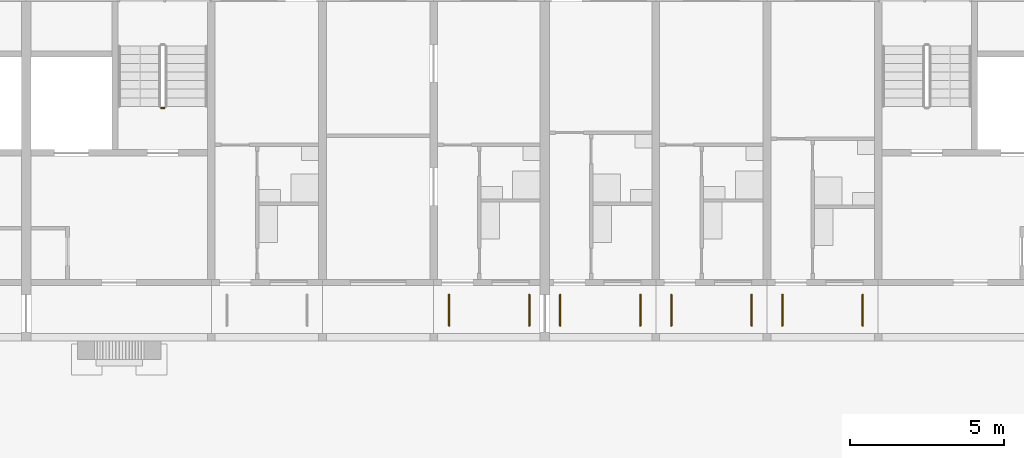
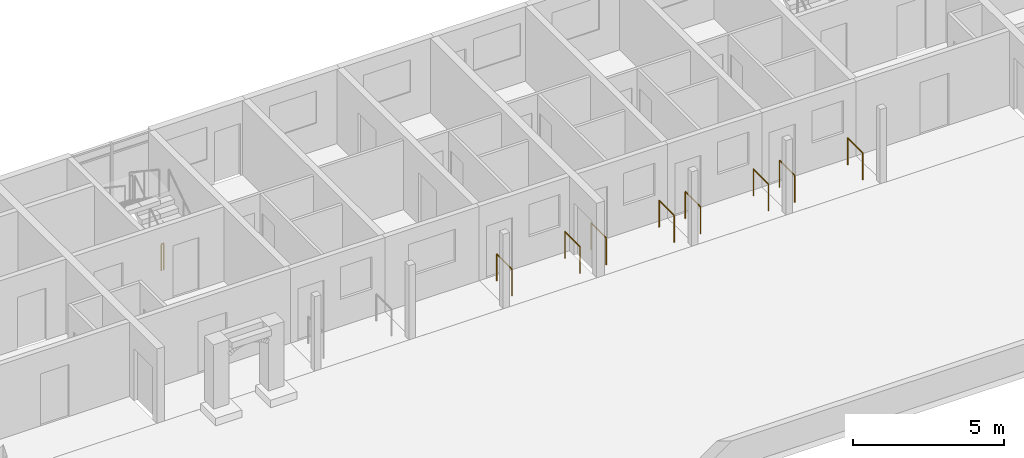
# One storey, part 104 of 115: 9 railings.
"""IFC4 building model written with IfcOpenShell, lengths in metres."""

from ifc_helpers import new_model, si_unit, direction, frame, origin, origin_2d, place, context, subcontext, project, spatial, circle, extrude, material, type_object, element, save


model = new_model("IFC4")

# Units and contexts
model_context = context("Model", 3, precision=1e-05, world=origin(), true_north=direction((0.0, 1.0)))
body_context = subcontext(model_context, "Body", "Model", "MODEL_VIEW")
ifc_project = project(units=[si_unit("LENGTHUNIT", "METRE"), si_unit("AREAUNIT", "SQUARE_METRE"), si_unit("VOLUMEUNIT", "CUBIC_METRE"), si_unit("PLANEANGLEUNIT", "RADIAN"), si_unit("MASSUNIT", "GRAM", prefix="KILO")], contexts=[model_context])

# Site, building, storey
site_placement = place(None, origin())
site = spatial("IfcSite", under=ifc_project, at=site_placement, CompositionType="ELEMENT")
building_placement = place(site_placement, origin())
building = spatial("IfcBuilding", under=site, at=building_placement, Name="Ridgestep Commons", CompositionType="ELEMENT")
storey_placement = place(building_placement, frame((0.0, 0.0, 6.0)))
storey = spatial("IfcBuildingStorey", under=building, at=storey_placement, Name="L02", CompositionType="ELEMENT", Elevation=6.0)

# Railings
ifc_material_1 = material(Name="Structural steel S355JR", Category="steel")
railing_type_1 = type_object("IfcRailingType", Name="Guard 1100", PredefinedType="GUARDRAIL", material=ifc_material_1)
for number, where, name in (
    (1, (177.300048828125, 12.25, 0.0), "Gallery side guard D 02.8W"),
    (2, (179.89990234375, 12.25, 0.0), "Gallery side guard D 02.8E"),
    (3, (180.89990234375, 12.25, 0.0), "Gallery side guard D 02.9W"),
    (4, (183.5, 12.25, 0.0), "Gallery side guard D 02.9E"),
    (5, (184.5, 12.25, 0.0), "Gallery side guard D 02.10W"),
    (6, (187.10009765625, 12.25, 0.0), "Gallery side guard D 02.10E"),
    (7, (188.10009765625, 12.25, 0.0), "Gallery side guard D 02.11W"),
    (8, (190.699951171875, 12.25, 0.0), "Gallery side guard D 02.11E"),
):
    element("IfcRailing", number, at=place(storey_placement, frame(where)), inside=storey, type_object=railing_type_1, Name=name, PredefinedType="GUARDRAIL", context=body_context, shape_type="SweptSolid", body=[
        extrude(circle(Radius=0.02392578125, at=origin_2d()), frame((0.0, 0.0, 1.076171875), z_axis=(0.0, 1.0, 0.0), x_axis=(-1.0, 0.0, 0.0)), (0.0, 0.0, 1.0), 1.0),
        extrude(circle(Radius=0.02099609375, at=origin_2d()), origin(), (0.0, 0.0, 1.0), 1.052001953125),
        extrude(circle(Radius=0.02099609375, at=origin_2d()), frame((0.0, 1.0, 0.0)), (0.0, 0.0, 1.0), 1.052001953125),
    ])
ifc_material_2 = material(Name="Structural steel S355JR", Category="steel")
railing_type_2 = type_object("IfcRailingType", Name="Stair guard 1100", PredefinedType="GUARDRAIL", material=ifc_material_2)
railing_placement = place(storey_placement, frame((168.074951171875, 19.300048828125, 0.0)))
element("IfcRailing", 9, at=railing_placement, inside=storey, type_object=railing_type_2, Name="L02 D2C stair guard 4", PredefinedType="GUARDRAIL", context=body_context, shape_type="SweptSolid", body=[
    extrude(circle(Radius=0.02392578125, at=origin_2d()), frame((0.0, 0.0, 1.076171875), z_axis=(-1.0, 0.0, 0.0), x_axis=(0.0, -1.0, 0.0)), (0.0, 0.0, 1.0), 0.099853515625),
    extrude(circle(Radius=0.02099609375, at=origin_2d()), origin(), (0.0, 0.0, 1.0), 1.052001953125),
    extrude(circle(Radius=0.02099609375, at=origin_2d()), frame((-0.099853515625, 0.0, 0.0)), (0.0, 0.0, 1.0), 1.052001953125),
])

save(model, "model.ifc")
